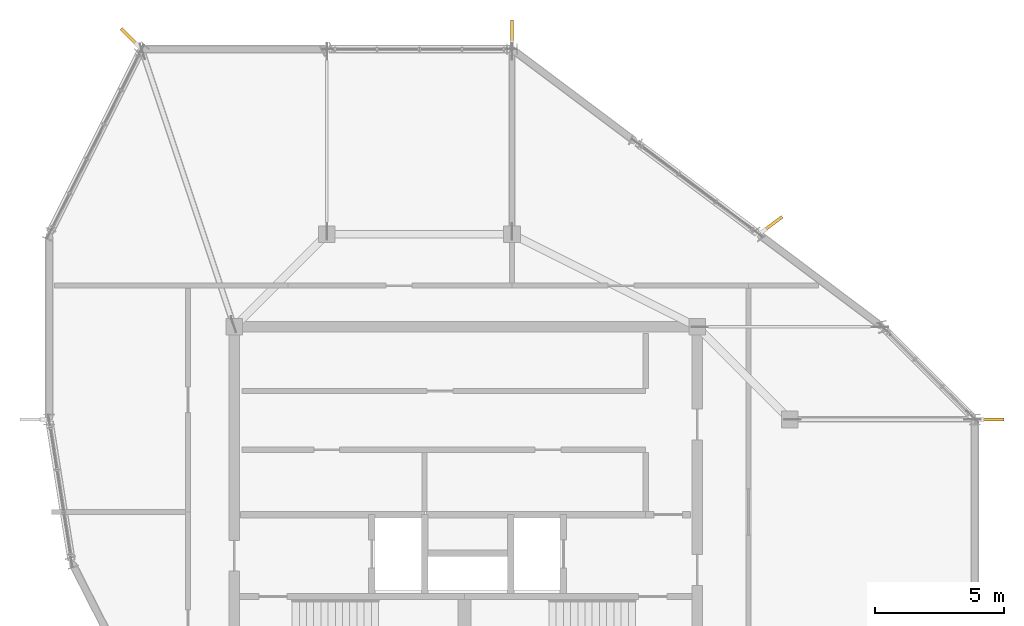
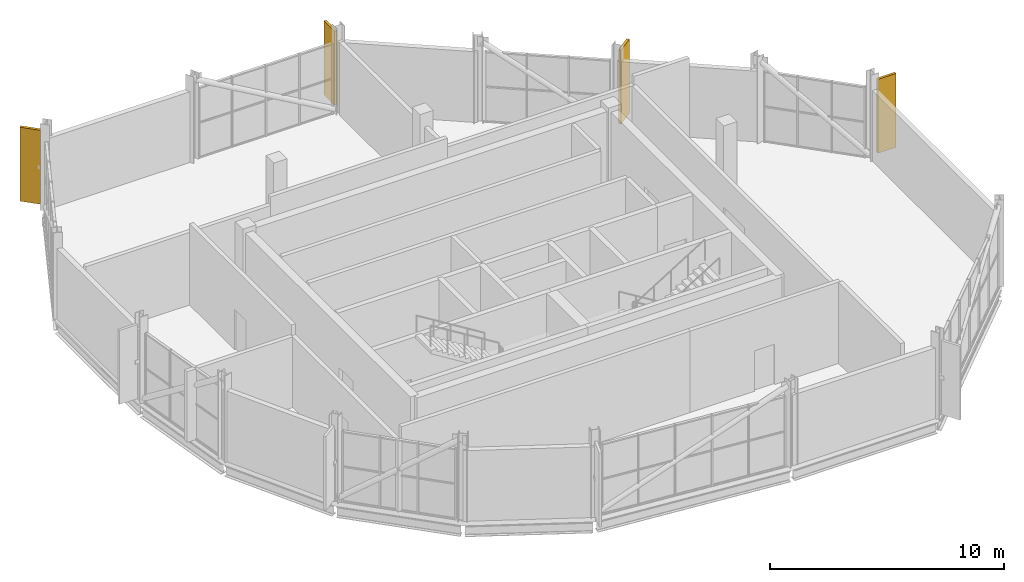
# One storey, part 22 of 22: 4 shading devices.
"""IFC4 building model written with IfcOpenShell, lengths in metres."""

from ifc_helpers import new_model, si_unit, direction, frame, origin, origin_2d, place, context, subcontext, project, spatial, rectangle, extrude, material, type_object, element, save


model = new_model("IFC4")

# Units and contexts
model_context = context("Model", 3, precision=1e-05, world=origin(), true_north=direction((0.0, 1.0)))
body_context = subcontext(model_context, "Body", "Model", "MODEL_VIEW")
ifc_project = project(units=[si_unit("LENGTHUNIT", "METRE"), si_unit("AREAUNIT", "SQUARE_METRE"), si_unit("VOLUMEUNIT", "CUBIC_METRE"), si_unit("PLANEANGLEUNIT", "RADIAN"), si_unit("MASSUNIT", "GRAM", prefix="KILO")], contexts=[model_context])

# Site, building, storey
site_placement = place(None, origin())
site = spatial("IfcSite", under=ifc_project, at=site_placement, CompositionType="ELEMENT")
building_placement = place(site_placement, origin())
building = spatial("IfcBuilding", under=site, at=building_placement, Name="Solnavia Interchange Tower", CompositionType="ELEMENT")
storey_placement = place(building_placement, frame((0.0, 0.0, 317.699951171875)))
storey = spatial("IfcBuildingStorey", under=building, at=storey_placement, Name="C04", CompositionType="ELEMENT", Elevation=317.699951171875)

# Shading devices
ifc_material = material(Name="Anodised Aluminium Fin", Category="aluminium")
shading_device_type = type_object("IfcShadingDeviceType", Name="CrownFin-Alu-900", PredefinedType="USERDEFINED", material=ifc_material)
for number, where, z_axis, x_axis, name in (
    (1, (43.8798828125, 21.60009765625, 0.199951171875), (0.0, 0.0, 1.0), (1.0, 0.0, 0.0), "FIN-C04-F01 Crown ring vertical aerofoil fin"),
    (2, (35.343994140625, 29.2080078125, 0.199951171875), (0.0, 0.0, 1.0), (0.799998928149, 0.600001429133, 0.0), "FIN-C04-F03 Crown ring vertical aerofoil fin"),
    (3, (25.199951171875, 36.679931640625, 0.199951171875), (0.0, 0.0, 1.0), (0.0, 1.0, 0.0), "FIN-C04-F05 Crown ring vertical aerofoil fin"),
    (4, (10.319091796875, 36.480712890625, 0.199951171875), (0.0, 0.0, 1.0), (-0.707106781187, 0.707106781187, 0.0), "FIN-C04-F07 Crown ring vertical aerofoil fin"),
):
    element("IfcShadingDevice", number, at=place(storey_placement, frame(where, z_axis=z_axis, x_axis=x_axis)), inside=storey, type_object=shading_device_type, Name=name, ObjectType="FIN", PredefinedType="USERDEFINED", context=body_context, shape_type="SweptSolid", body=[
        extrude(rectangle(XDim=0.89990234375, YDim=0.1201171875, at=origin_2d()), origin(), (0.0, 0.0, 1.0), 3.85009765625),
    ])

save(model, "model.ifc")
